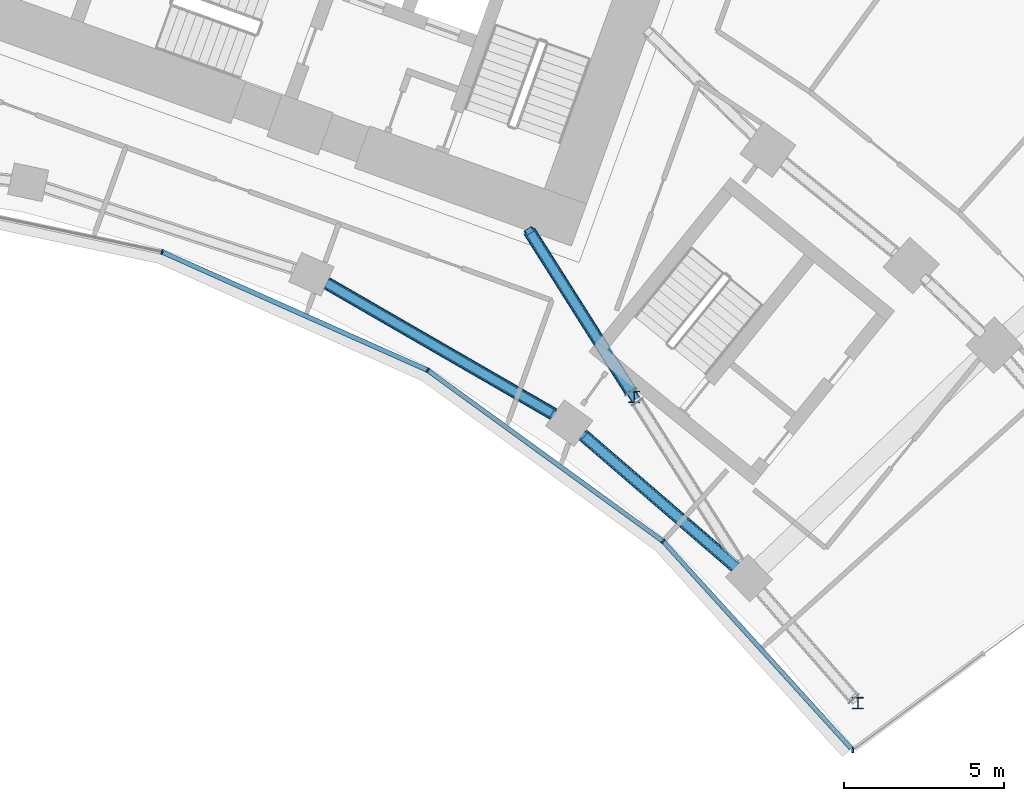
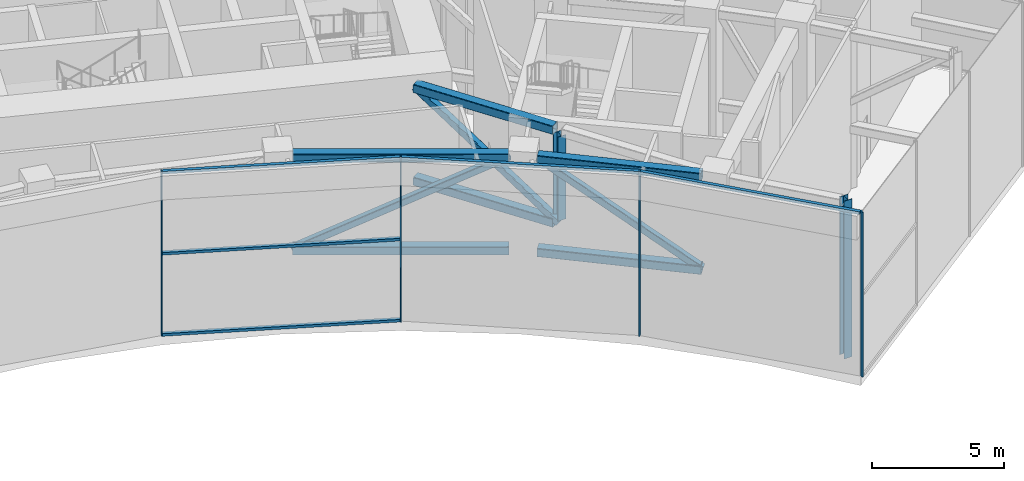
# One storey, part 9 of 32: 20 members, 2 elements without a shape of their own.
"""IFC4 building model written with IfcOpenShell, lengths in metres."""

from ifc_helpers import new_model, si_unit, direction, frame, origin, origin_2d, place, context, subcontext, project, spatial, rectangle, hollow_rectangle, i_section, extrude, material, layer, layer_set, material_profile, profile_set, type_object, element, aggregate, save


model = new_model("IFC4")

# Units and contexts
model_context = context("Model", 3, precision=1e-05, world=origin(), true_north=direction((0.0, 1.0)))
body_context = subcontext(model_context, "Body", "Model", "MODEL_VIEW")
ifc_project = project(units=[si_unit("LENGTHUNIT", "METRE"), si_unit("AREAUNIT", "SQUARE_METRE"), si_unit("VOLUMEUNIT", "CUBIC_METRE"), si_unit("PLANEANGLEUNIT", "RADIAN"), si_unit("MASSUNIT", "GRAM", prefix="KILO")], contexts=[model_context])

# Site, building, storey
site_placement = place(None, origin())
site = spatial("IfcSite", under=ifc_project, at=site_placement, CompositionType="ELEMENT")
building_placement = place(site_placement, origin())
building = spatial("IfcBuilding", under=site, at=building_placement, Name="Stone Belt Terrace Tower", CompositionType="ELEMENT")
storey_placement = place(building_placement, frame((0.0, 0.0, 193.39990234375)))
storey = spatial("IfcBuildingStorey", under=building, at=storey_placement, Name="L47", CompositionType="ELEMENT", Elevation=193.39990234375)

# Curtain wall, members
ifc_material_1 = material(Name="Aluminium 6063-T6 anodised frame", Category="aluminium")
ifc_layer_1 = layer(ifc_material_1, 0.14990234375)
ifc_layer_set_1 = layer_set([ifc_layer_1], Name="CW-B unitised concave-face curtain wall")
curtain_wall_type_1 = type_object("IfcCurtainWallType", Name="CW-B unitised concave-face curtain wall", PredefinedType="NOTDEFINED", material=ifc_layer_set_1)
curtain_wall_1_placement = place(storey_placement, origin())
curtain_wall_1 = element("IfcCurtainWall", 1, at=curtain_wall_1_placement, inside=storey, type_object=curtain_wall_type_1, Name="CW-B concave face L47", PredefinedType="NOTDEFINED")
ifc_material_profile_1 = material_profile(ifc_material_1, rectangle(XDim=0.14990234375, YDim=0.050048828125, at=origin_2d()), Name="Aluminium 6063-T6 50x150")
ifc_profile_set_1 = profile_set([ifc_material_profile_1], Name="Aluminium 6063-T6 anodised frame")
member_type_1 = type_object("IfcMemberType", Name="CW-B mullion 50 x 150", PredefinedType="MULLION", material=ifc_profile_set_1)
member_1_placement = place(storey_placement, frame((13.4189453125, 41.29931640625, 0.0), z_axis=(0.0, 0.0, 1.0), x_axis=(0.309016994375, 0.951056516295, 0.0)))
member_1 = element("IfcMember", 2, at=member_1_placement, type_object=member_type_1, Name="CW-B mullion 7", PredefinedType="MULLION", context=body_context, shape_type="SweptSolid", body=[
    extrude(rectangle(XDim=0.14990234375, YDim=0.050048828125, at=origin_2d()), origin(), (0.0, 0.0, 1.0), 7.60009765625),
])
member_2_placement = place(storey_placement, frame((21.71240234375, 37.606689453125, 0.0), z_axis=(0.0, 0.0, 1.0), x_axis=(0.5, 0.866025403784, 0.0)))
member_2 = element("IfcMember", 3, at=member_2_placement, type_object=member_type_1, Name="CW-B mullion 8", PredefinedType="MULLION", context=body_context, shape_type="SweptSolid", body=[
    extrude(rectangle(XDim=0.14990234375, YDim=0.050048828125, at=origin_2d()), origin(), (0.0, 0.0, 1.0), 7.60009765625),
])
member_3_placement = place(storey_placement, frame((29.056884765625, 32.270751953125, 0.0), z_axis=(0.0, 0.0, 1.0), x_axis=(0.667655571962, 0.744470306479, 0.0)))
member_3 = element("IfcMember", 4, at=member_3_placement, type_object=member_type_1, Name="CW-B mullion 9", PredefinedType="MULLION", context=body_context, shape_type="SweptSolid", body=[
    extrude(rectangle(XDim=0.14990234375, YDim=0.050048828125, at=origin_2d()), origin(), (0.0, 0.0, 1.0), 7.60009765625),
])
ifc_material_profile_2 = material_profile(ifc_material_1, rectangle(XDim=0.14990234375, YDim=0.1201171875, at=origin_2d()), Name="Aluminium 6063-T6 150x120")
ifc_profile_set_2 = profile_set([ifc_material_profile_2], Name="Aluminium 6063-T6 anodised frame")
member_type_2 = type_object("IfcMemberType", Name="CW-B transom 120 x 150", PredefinedType="USERDEFINED", material=ifc_profile_set_2)
member_4_placement = place(storey_placement, frame((13.44873046875, 41.285888671875, 0.06005859375), z_axis=(0.913548853737, -0.406729015237, 0.0), x_axis=(0.406729015237, 0.913548853737, 0.0)))
member_4 = element("IfcMember", 5, at=member_4_placement, type_object=member_type_2, Name="CW-B transom 7.1", ObjectType="TRANSOM", PredefinedType="USERDEFINED", context=body_context, shape_type="SweptSolid", body=[
    extrude(rectangle(XDim=0.14990234375, YDim=0.1201171875, at=origin_2d()), origin(), (0.0, 0.0, 1.0), 9.0126953125),
])
member_5_placement = place(storey_placement, frame((13.44873046875, 41.285888671875, 3.800048828125), z_axis=(0.913548853737, -0.406729015237, 0.0), x_axis=(0.406729015237, 0.913548853737, 0.0)))
member_5 = element("IfcMember", 6, at=member_5_placement, type_object=member_type_2, Name="CW-B transom 7.2", ObjectType="TRANSOM", PredefinedType="USERDEFINED", context=body_context, shape_type="SweptSolid", body=[
    extrude(rectangle(XDim=0.14990234375, YDim=0.1201171875, at=origin_2d()), origin(), (0.0, 0.0, 1.0), 9.0126953125),
])
member_6_placement = place(storey_placement, frame((13.44873046875, 41.285888671875, 7.5400390625), z_axis=(0.913548853737, -0.406729015237, 0.0), x_axis=(0.406729015237, 0.913548853737, 0.0)))
member_6 = element("IfcMember", 7, at=member_6_placement, type_object=member_type_2, Name="CW-B transom 7.3", ObjectType="TRANSOM", PredefinedType="USERDEFINED", context=body_context, shape_type="SweptSolid", body=[
    extrude(rectangle(XDim=0.14990234375, YDim=0.1201171875, at=origin_2d()), origin(), (0.0, 0.0, 1.0), 9.0126953125),
])
member_7_placement = place(storey_placement, frame((21.73876953125, 37.587646484375, 7.5400390625), z_axis=(0.809012430507, -0.587791533867, 0.0), x_axis=(0.587791533867, 0.809012430507, 0.0)))
member_7 = element("IfcMember", 8, at=member_7_placement, type_object=member_type_2, Name="CW-B transom 8.1", ObjectType="TRANSOM", PredefinedType="USERDEFINED", context=body_context, shape_type="SweptSolid", body=[
    extrude(rectangle(XDim=0.14990234375, YDim=0.1201171875, at=origin_2d()), origin(), (0.0, 0.0, 1.0), 9.01318359375),
])
member_8_placement = place(storey_placement, frame((29.07861328125, 32.24658203125, 7.5400390625), z_axis=(0.672081002182, -0.740477634035, 0.0), x_axis=(0.740477634035, 0.672081002182, 0.0)))
member_8 = element("IfcMember", 9, at=member_8_placement, type_object=member_type_2, Name="CW-B transom 9.1", ObjectType="TRANSOM", PredefinedType="USERDEFINED", context=body_context, shape_type="SweptSolid", body=[
    extrude(rectangle(XDim=0.14990234375, YDim=0.1201171875, at=origin_2d()), origin(), (0.0, 0.0, 1.0), 8.70947265625),
])
aggregate(curtain_wall_1, [member_1, member_2, member_3, member_4, member_5, member_6, member_7, member_8])

# Curtain wall, member
ifc_layer_2 = layer(ifc_material_1, 0.14990234375)
ifc_layer_set_2 = layer_set([ifc_layer_2], Name="CW-C stick curtain wall, horn ends and notches")
curtain_wall_type_2 = type_object("IfcCurtainWallType", Name="CW-C stick curtain wall, horn ends and notches", PredefinedType="NOTDEFINED", material=ifc_layer_set_2)
curtain_wall_2_placement = place(storey_placement, origin())
curtain_wall_2 = element("IfcCurtainWall", 10, at=curtain_wall_2_placement, inside=storey, type_object=curtain_wall_type_2, Name="CW-C end face L47", PredefinedType="NOTDEFINED")
ifc_material_profile_3 = material_profile(ifc_material_1, rectangle(XDim=0.14990234375, YDim=0.06005859375, at=origin_2d()), Name="Aluminium 6063-T6 60x150")
ifc_profile_set_3 = profile_set([ifc_material_profile_3], Name="Aluminium 6063-T6 anodised frame")
member_type_3 = type_object("IfcMemberType", Name="CW-C mullion 60 x 150", PredefinedType="MULLION", material=ifc_profile_set_3)
member_9_placement = place(storey_placement, frame((34.978271484375, 25.746337890625, 0.0), z_axis=(0.0, 0.0, 1.0), x_axis=(0.098609982845, 0.995126158476, 0.0)))
member_9 = element("IfcMember", 11, at=member_9_placement, type_object=member_type_3, Name="CW-C mullion 1", PredefinedType="MULLION", context=body_context, shape_type="SweptSolid", body=[
    extrude(rectangle(XDim=0.14990234375, YDim=0.06005859375, at=origin_2d()), origin(), (0.0, 0.0, 1.0), 7.60009765625),
])
aggregate(curtain_wall_2, [member_9])

# Members
ifc_material_2 = material(Name="Structural steel C345", Category="steel")
ifc_material_profile_4 = material_profile(ifc_material_2, hollow_rectangle(XDim=0.39990234375, YDim=0.39990234375, WallThickness=0.01611328125, InnerFilletRadius=0.031982421875, OuterFilletRadius=0.048095703125, at=origin_2d()), Name="SHS 400x400x16")
ifc_profile_set_4 = profile_set([ifc_material_profile_4], Name="Structural steel C345")
member_type_4 = type_object("IfcMemberType", Name="Outrigger chord SHS 400x400x16", PredefinedType="CHORD", material=ifc_profile_set_4)
for number, where, z_axis, x_axis, name in (
    (12, (31.31689453125, 31.477294921875, 7.080078125), (-0.7572059134, 0.653176243224, 0.0), (-0.653176243224, -0.7572059134, 0.0), "Outrigger T3 Pe top chord 2"),
    (13, (31.31689453125, 31.477294921875, 2.800048828125), (-0.7572059134, 0.653176243224, 0.0), (-0.653176243224, -0.7572059134, 0.0), "Outrigger T3 Pe bot chord 2"),
):
    element("IfcMember", number, at=place(storey_placement, frame(where, z_axis=z_axis, x_axis=x_axis)), inside=storey, type_object=member_type_4, Name=name, PredefinedType="CHORD", context=body_context, shape_type="SweptSolid", body=[
        extrude(hollow_rectangle(XDim=0.39990234375, YDim=0.39990234375, WallThickness=0.01611328125, InnerFilletRadius=0.031982421875, OuterFilletRadius=0.048095703125, at=origin_2d()), origin(), (0.0, 0.0, 1.0), 6.305908203125),
    ])
for number, where, z_axis, x_axis, name in (
    (14, (25.645263671875, 36.2333984375, 7.080078125), (-0.866037575006, 0.499978918233, 0.0), (-0.499978918233, -0.866037575006, 0.0), "Outrigger T3 Pe top chord 3"),
    (15, (25.645263671875, 36.2333984375, 2.800048828125), (-0.866037575006, 0.499978918233, 0.0), (-0.499978918233, -0.866037575006, 0.0), "Outrigger T3 Pe bot chord 3"),
):
    element("IfcMember", number, at=place(storey_placement, frame(where, z_axis=z_axis, x_axis=x_axis)), inside=storey, type_object=member_type_4, Name=name, PredefinedType="CHORD", context=body_context, shape_type="SweptSolid", body=[
        extrude(hollow_rectangle(XDim=0.39990234375, YDim=0.39990234375, WallThickness=0.01611328125, InnerFilletRadius=0.031982421875, OuterFilletRadius=0.048095703125, at=origin_2d()), origin(), (0.0, 0.0, 1.0), 8.185302734375),
    ])
for number, where, z_axis, x_axis, name in (
    (16, (28.051025390625, 36.938232421875, 7.080078125), (-0.534707643135, 0.845037121299, 0.0), (-0.845037121299, -0.534707643135, 0.0), "Outrigger T3 coreB-horn-P top chord 2"),
    (17, (28.051025390625, 36.938232421875, 2.800048828125), (-0.534707643135, 0.845037121299, 0.0), (-0.845037121299, -0.534707643135, 0.0), "Outrigger T3 coreB-horn-P bot chord 2"),
):
    element("IfcMember", number, at=place(storey_placement, frame(where, z_axis=z_axis, x_axis=x_axis)), inside=storey, type_object=member_type_4, Name=name, PredefinedType="CHORD", context=body_context, shape_type="SweptSolid", body=[
        extrude(hollow_rectangle(XDim=0.39990234375, YDim=0.39990234375, WallThickness=0.01611328125, InnerFilletRadius=0.031982421875, OuterFilletRadius=0.048095703125, at=origin_2d()), origin(), (0.0, 0.0, 1.0), 5.9365234375),
    ])
ifc_material_profile_5 = material_profile(ifc_material_2, hollow_rectangle(XDim=0.300048828125, YDim=0.300048828125, WallThickness=0.01611328125, InnerFilletRadius=0.031982421875, OuterFilletRadius=0.048095703125, at=origin_2d()), Name="SHS 300x300x16")
ifc_profile_set_5 = profile_set([ifc_material_profile_5], Name="Structural steel C345")
member_type_5 = type_object("IfcMemberType", Name="Outrigger diagonal SHS 300x300x16", PredefinedType="BRACE", material=ifc_profile_set_5)
member_10_placement = place(storey_placement, frame((31.31689453125, 31.477294921875, 2.800048828125), z_axis=(-0.626523749874, 0.540448010232, 0.561590543974), x_axis=(-0.653176243224, -0.7572059134, 0.0)))
element("IfcMember", 18, at=member_10_placement, inside=storey, type_object=member_type_5, Name="Outrigger T3 Pe diagonal 2", PredefinedType="BRACE", context=body_context, shape_type="SweptSolid", body=[
    extrude(hollow_rectangle(XDim=0.300048828125, YDim=0.300048828125, WallThickness=0.01611328125, InnerFilletRadius=0.031982421875, OuterFilletRadius=0.048095703125, at=origin_2d()), origin(), (0.0, 0.0, 1.0), 7.621337890625),
])
member_11_placement = place(storey_placement, frame((25.645263671875, 36.2333984375, 7.080078125), z_axis=(-0.767454660095, 0.44306524546, -0.463364363071), x_axis=(-0.499978918233, -0.866037575006, 0.0)))
element("IfcMember", 19, at=member_11_placement, inside=storey, type_object=member_type_5, Name="Outrigger T3 Pe diagonal 3", PredefinedType="BRACE", context=body_context, shape_type="SweptSolid", body=[
    extrude(hollow_rectangle(XDim=0.300048828125, YDim=0.300048828125, WallThickness=0.01611328125, InnerFilletRadius=0.031982421875, OuterFilletRadius=0.048095703125, at=origin_2d()), origin(), (0.0, 0.0, 1.0), 9.23681640625),
])
member_12_placement = place(storey_placement, frame((28.1552734375, 36.7734375, 2.800048828125), z_axis=(-0.438451421947, 0.692922371582, 0.572380063903), x_axis=(-0.845039182393, -0.534704385825, 0.0)))
element("IfcMember", 20, at=member_12_placement, inside=storey, type_object=member_type_5, Name="Outrigger T3 coreB-horn-P diagonal 2", PredefinedType="BRACE", context=body_context, shape_type="SweptSolid", body=[
    extrude(hollow_rectangle(XDim=0.300048828125, YDim=0.300048828125, WallThickness=0.01611328125, InnerFilletRadius=0.031982421875, OuterFilletRadius=0.048095703125, at=origin_2d()), origin(), (0.0, 0.0, 1.0), 7.4775390625),
])
ifc_material_profile_6 = material_profile(ifc_material_2, i_section(OverallWidth=0.35009765625, OverallDepth=0.35009765625, WebThickness=0.011962890625, FlangeThickness=0.01904296875, at=origin_2d()), Name="I 35K2")
ifc_profile_set_6 = profile_set([ifc_material_profile_6], Name="Structural steel C345")
member_type_6 = type_object("IfcMemberType", Name="Outrigger post I 35K2", PredefinedType="POST", material=ifc_profile_set_6)
member_13_placement = place(storey_placement, frame((35.133056640625, 27.221923828125, 0.0), z_axis=(0.0, 0.0, 1.0), x_axis=(1.0, 0.0, 0.0)))
element("IfcMember", 21, at=member_13_placement, inside=storey, type_object=member_type_6, Name="Outrigger T3 Pe tip post", PredefinedType="POST", context=body_context, shape_type="SweptSolid", body=[
    extrude(i_section(OverallWidth=0.35009765625, OverallDepth=0.35009765625, WebThickness=0.011962890625, FlangeThickness=0.01904296875, at=origin_2d()), origin(), (0.0, 0.0, 1.0), 7.280029296875),
])
member_14_placement = place(storey_placement, frame((28.1552734375, 36.7734375, 3.0), z_axis=(0.0, 0.0, 1.0), x_axis=(1.0, 0.0, 0.0)))
element("IfcMember", 22, at=member_14_placement, inside=storey, type_object=member_type_6, Name="Outrigger T3 coreB-horn-P post 1", PredefinedType="POST", context=body_context, shape_type="SweptSolid", body=[
    extrude(i_section(OverallWidth=0.35009765625, OverallDepth=0.35009765625, WebThickness=0.011962890625, FlangeThickness=0.01904296875, at=origin_2d()), origin(), (0.0, 0.0, 1.0), 3.880126953125),
])

save(model, "model.ifc")
